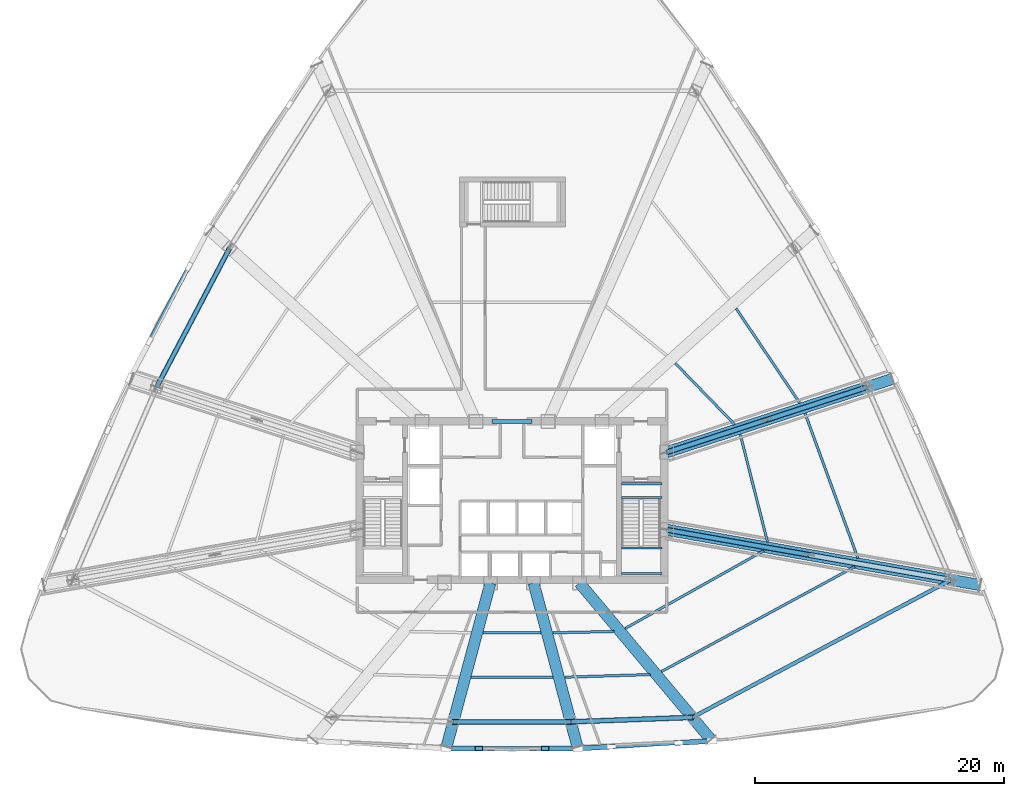
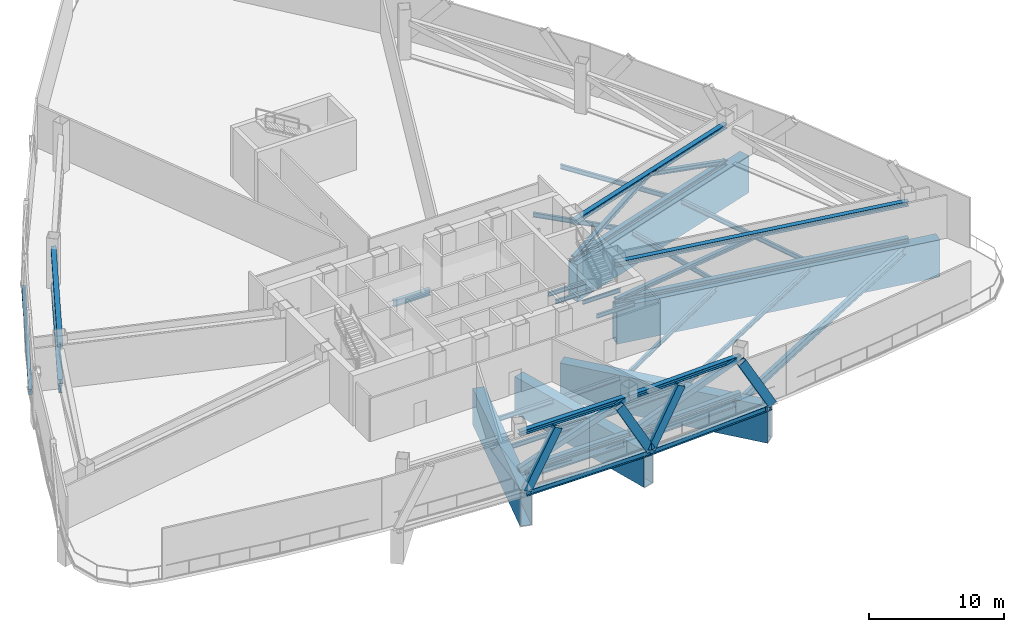
# One storey, part 2 of 17: 27 beams, 19 members.
"""IFC4 building model written with IfcOpenShell, lengths in metres."""

from ifc_helpers import new_model, si_unit, direction, frame, origin, origin_2d, place, context, subcontext, project, spatial, hollow_rectangle, i_section, extrude, source, transform, mapped, material, material_profile, profile_set, type_object, element, save


model = new_model("IFC4")

# Units and contexts
model_context = context("Model", 3, precision=1e-05, world=origin(), true_north=direction((0.0, 1.0)))
body_context = subcontext(model_context, "Body", "Model", "MODEL_VIEW")
ifc_project = project(units=[si_unit("LENGTHUNIT", "METRE"), si_unit("AREAUNIT", "SQUARE_METRE"), si_unit("VOLUMEUNIT", "CUBIC_METRE"), si_unit("PLANEANGLEUNIT", "RADIAN"), si_unit("MASSUNIT", "GRAM", prefix="KILO"), si_unit("THERMODYNAMICTEMPERATUREUNIT", "KELVIN"), si_unit("POWERUNIT", "WATT")], contexts=[model_context])

# Site, building, storey
site_placement = place(None, origin())
site = spatial("IfcSite", under=ifc_project, at=site_placement, CompositionType="ELEMENT")
building_placement = place(site_placement, origin())
building = spatial("IfcBuilding", under=site, at=building_placement, Name="Yunzhuo Pagoda Commons", CompositionType="ELEMENT")
storey_placement = place(building_placement, frame((0.0, 0.0, 176.159912109375)))
storey = spatial("IfcBuildingStorey", under=building, at=storey_placement, Name="L44", CompositionType="ELEMENT", Elevation=176.159912109375)

# Beams
ifc_material_1 = material(Name="Structural steel Q355B", Category="steel")
ifc_material_profile_1 = material_profile(ifc_material_1, i_section(OverallWidth=0.175048828125, OverallDepth=0.35009765625, WebThickness=0.007080078125, FlangeThickness=0.010986328125, at=origin_2d()), Name="Structural steel Q355B")
ifc_profile_set_1 = profile_set([ifc_material_profile_1], Name="Structural steel Q355B")
beam_type_1 = type_object("IfcBeamType", Name="B-JS2 Joist HN 350x175x7x11", PredefinedType="JOIST", material=ifc_profile_set_1)
shared_shape_1 = source(origin(), body_context, "Body", "SweptSolid", [
    extrude(i_section(OverallWidth=0.175048828125, OverallDepth=0.35009765625, WebThickness=0.007080078125, FlangeThickness=0.010986328125, at=origin_2d()), origin(), (0.0, 0.0, 1.0), 3.25),
])
for number, where, z_axis, x_axis, name in (
    (1, (56.800048828125, 28.0, 2.025146484375), (1.0, 0.0, 0.0), (0.0, 1.0, 0.0), "L44 ST2 landing support beam 50A"),
    (2, (56.800048828125, 30.06005859375, 2.025146484375), (1.0, 0.0, 0.0), (0.0, 1.0, 0.0), "L44 ST2 landing support beam 50B"),
    (3, (56.800048828125, 34.10009765625, -0.375), (1.0, 0.0, 0.0), (0.0, 1.0, 0.0), "L44 ST2 landing support beam 148A"),
    (4, (56.800048828125, 35.199951171875, -0.375), (1.0, 0.0, 0.0), (0.0, 1.0, 0.0), "L44 ST2 landing support beam 148B"),
):
    element("IfcBeam", number, at=place(storey_placement, frame(where, z_axis=z_axis, x_axis=x_axis)), inside=storey, type_object=beam_type_1, Name=name, PredefinedType="JOIST", context=body_context, shape_type="MappedRepresentation", body=[
        mapped(shared_shape_1, transform((0.0, 0.0, 0.0), scale=1.0)),
    ])
ifc_material_2 = material(Name="Structural steel Q420B", Category="steel")
ifc_material_profile_2 = material_profile(ifc_material_2, i_section(OverallWidth=0.300048828125, OverallDepth=0.587890625, WebThickness=0.011962890625, FlangeThickness=0.02001953125, at=origin_2d()), Name="Structural steel Q420B")
ifc_profile_set_2 = profile_set([ifc_material_profile_2], Name="Structural steel Q420B")
beam_type_2 = type_object("IfcBeamType", Name="B-CPL Beam HM 588x300x12x20", PredefinedType="BEAM", material=ifc_profile_set_2)
shared_shape_2 = source(origin(), body_context, "Body", "SweptSolid", [
    extrude(i_section(OverallWidth=0.300048828125, OverallDepth=0.587890625, WebThickness=0.011962890625, FlangeThickness=0.02001953125, at=origin_2d()), origin(), (0.0, 0.0, 1.0), 3.2001953125),
])
beam_1_placement = place(storey_placement, frame((46.39990234375, 40.199951171875, -0.57373046875), z_axis=(1.0, 0.0, 0.0), x_axis=(0.0, 1.0, 0.0)))
element("IfcBeam", 5, at=beam_1_placement, inside=storey, type_object=beam_type_2, Name="L44 core coupling girder", PredefinedType="BEAM", context=body_context, shape_type="MappedRepresentation", body=[
    mapped(shared_shape_2, transform((0.0, 0.0, 0.0), scale=1.0)),
])
ifc_material_profile_3 = material_profile(ifc_material_2, hollow_rectangle(XDim=0.89990234375, YDim=3.35009765625, WallThickness=0.048095703125, at=origin_2d()), Name="Structural steel Q420B")
ifc_profile_set_3 = profile_set([ifc_material_profile_3], Name="Structural steel Q420B")
beam_type_3 = type_object("IfcBeamType", Name="BTR-2 Beam BOX 3350x900x48", PredefinedType="BEAM", material=ifc_profile_set_3)
shared_shape_3 = source(origin(), body_context, "Body", "SweptSolid", [
    extrude(hollow_rectangle(XDim=0.89990234375, YDim=3.35009765625, WallThickness=0.048095703125, at=origin_2d()), origin(), (0.0, 0.0, 1.0), 16.390625),
])
beam_2_placement = place(storey_placement, frame((63.94775390625, 14.694091796875, -1.954833984375), z_axis=(-0.642787129535, 0.766044846014, 0.0), x_axis=(-0.766044846014, -0.642787129535, 0.0)))
element("IfcBeam", 6, at=beam_2_placement, inside=storey, type_object=beam_type_3, Name="BTR-2 L44 collinear transfer girder F1C4", PredefinedType="BEAM", context=body_context, shape_type="MappedRepresentation", body=[
    mapped(shared_shape_3, transform((0.0, 0.0, 0.0), scale=1.0)),
])
shared_shape_4 = source(origin(), body_context, "Body", "SweptSolid", [
    extrude(hollow_rectangle(XDim=0.89990234375, YDim=3.35009765625, WallThickness=0.048095703125, at=origin_2d()), origin(), (0.0, 0.0, 1.0), 13.593017578125),
])
for number, where, z_axis, x_axis, name in (
    (7, (42.753662109375, 14.1201171875, -1.954833984375), (0.258830648495, 0.965922717095, 0.0), (-0.965922717095, 0.258830648495, 0.0), "BTR-2 L44 collinear transfer girder F1C2"),
    (8, (53.246337890625, 14.1201171875, -1.954833984375), (-0.25879713325, 0.965931697286, 0.0), (-0.965931697286, -0.25879713325, 0.0), "BTR-2 L44 collinear transfer girder F1C3"),
):
    element("IfcBeam", number, at=place(storey_placement, frame(where, z_axis=z_axis, x_axis=x_axis)), inside=storey, type_object=beam_type_3, Name=name, PredefinedType="BEAM", context=body_context, shape_type="MappedRepresentation", body=[
        mapped(shared_shape_4, transform((0.0, 0.0, 0.0), scale=1.0)),
    ])
shared_shape_5 = source(origin(), body_context, "Body", "SweptSolid", [
    extrude(hollow_rectangle(XDim=0.89990234375, YDim=3.35009765625, WallThickness=0.048095703125, at=origin_2d()), origin(), (0.0, 0.0, 1.0), 25.52734375),
])
beam_3_placement = place(storey_placement, frame((85.53955078125, 27.0810546875, -1.954833984375), z_axis=(-0.984810601719, 0.173632021076, 0.0), x_axis=(-0.173632021076, -0.984810601719, 0.0)))
element("IfcBeam", 9, at=beam_3_placement, inside=storey, type_object=beam_type_3, Name="BTR-2 L44 collinear transfer girder F2C1", PredefinedType="BEAM", context=body_context, shape_type="MappedRepresentation", body=[
    mapped(shared_shape_5, transform((0.0, 0.0, 0.0), scale=1.0)),
])
shared_shape_6 = source(origin(), body_context, "Body", "SweptSolid", [
    extrude(hollow_rectangle(XDim=0.89990234375, YDim=3.35009765625, WallThickness=0.048095703125, at=origin_2d()), origin(), (0.0, 0.0, 1.0), 19.029296875),
])
beam_4_placement = place(storey_placement, frame((78.497802734375, 43.609375, -1.954833984375), z_axis=(-0.95105641133, -0.309017317424, 0.0), x_axis=(0.309017317424, -0.95105641133, 0.0)))
element("IfcBeam", 10, at=beam_4_placement, inside=storey, type_object=beam_type_3, Name="BTR-2 L44 collinear transfer girder F2C2", PredefinedType="BEAM", context=body_context, shape_type="MappedRepresentation", body=[
    mapped(shared_shape_6, transform((0.0, 0.0, 0.0), scale=1.0)),
])
ifc_material_profile_4 = material_profile(ifc_material_1, i_section(OverallWidth=0.300048828125, OverallDepth=0.488037109375, WebThickness=0.010986328125, FlangeThickness=0.01806640625, at=origin_2d()), Name="Structural steel Q355B")
ifc_profile_set_4 = profile_set([ifc_material_profile_4], Name="Structural steel Q355B")
beam_type_4 = type_object("IfcBeamType", Name="B-SP1 Beam HM 488x300x11x18", PredefinedType="BEAM", material=ifc_profile_set_4)
shared_shape_7 = source(origin(), body_context, "Body", "SweptSolid", [
    extrude(i_section(OverallWidth=0.300048828125, OverallDepth=0.488037109375, WebThickness=0.010986328125, FlangeThickness=0.01806640625, at=origin_2d()), origin(), (0.0, 0.0, 1.0), 10.77783203125),
])
beam_5_placement = place(storey_placement, frame((53.28662109375, 13.970458984375, -0.52392578125), z_axis=(0.998422062391, 0.056155011631, 0.0), x_axis=(-0.056155011631, 0.998422062391, 0.0)))
element("IfcBeam", 11, at=beam_5_placement, inside=storey, type_object=beam_type_4, Name="L44 facade edge spandrel beam F1.3", PredefinedType="BEAM", context=body_context, shape_type="MappedRepresentation", body=[
    mapped(shared_shape_7, transform((0.0, 0.0, 0.0), scale=1.0)),
])
shared_shape_8 = source(origin(), body_context, "Body", "SweptSolid", [
    extrude(i_section(OverallWidth=0.300048828125, OverallDepth=0.488037109375, WebThickness=0.010986328125, FlangeThickness=0.01806640625, at=origin_2d()), origin(), (0.0, 0.0, 1.0), 10.5732421875),
])
beam_6_placement = place(storey_placement, frame((42.71337890625, 13.970458984375, -0.52392578125), z_axis=(1.0, 0.0, 0.0), x_axis=(0.0, 1.0, 0.0)))
element("IfcBeam", 12, at=beam_6_placement, inside=storey, type_object=beam_type_4, Name="L44 facade edge spandrel beam F1.2", PredefinedType="BEAM", context=body_context, shape_type="MappedRepresentation", body=[
    mapped(shared_shape_8, transform((0.0, 0.0, 0.0), scale=1.0)),
])
shared_shape_9 = source(origin(), body_context, "Body", "SweptSolid", [
    extrude(i_section(OverallWidth=0.300048828125, OverallDepth=0.488037109375, WebThickness=0.010986328125, FlangeThickness=0.01806640625, at=origin_2d()), origin(), (0.0, 0.0, 1.0), 13.517333984375),
])
beam_7_placement = place(storey_placement, frame((23.66455078125, 55.61181640625, -0.52392578125), z_axis=(-0.466756265166, -0.884385995439, 0.0), x_axis=(0.884385995439, -0.466756265166, 0.0)))
element("IfcBeam", 13, at=beam_7_placement, inside=storey, type_object=beam_type_4, Name="L44 facade edge spandrel beam F3.2", PredefinedType="BEAM", context=body_context, shape_type="MappedRepresentation", body=[
    mapped(shared_shape_9, transform((0.0, 0.0, 0.0), scale=1.0)),
])
ifc_material_profile_5 = material_profile(ifc_material_1, i_section(OverallWidth=0.199951171875, OverallDepth=0.39990234375, WebThickness=0.008056640625, FlangeThickness=0.012939453125, at=origin_2d()), Name="Structural steel Q355B")
ifc_profile_set_5 = profile_set([ifc_material_profile_5], Name="Structural steel Q355B")
beam_type_5 = type_object("IfcBeamType", Name="B-JS1 Joist HN 400x200x8x13", PredefinedType="JOIST", material=ifc_profile_set_5)
shared_shape_10 = source(origin(), body_context, "Body", "SweptSolid", [
    extrude(i_section(OverallWidth=0.199951171875, OverallDepth=0.39990234375, WebThickness=0.008056640625, FlangeThickness=0.012939453125, at=origin_2d()), origin(), (0.0, 0.0, 1.0), 4.914794921875),
])
beam_8_placement = place(storey_placement, frame((51.279541015625, 23.250732421875, -0.47998046875), z_axis=(0.999764351647, 0.021708090116, 0.0), x_axis=(-0.021708090116, 0.999764351647, 0.0)))
element("IfcBeam", 14, at=beam_8_placement, inside=storey, type_object=beam_type_5, Name="L44 composite ring joist 1.3", PredefinedType="JOIST", context=body_context, shape_type="MappedRepresentation", body=[
    mapped(shared_shape_10, transform((0.0, 0.0, 0.0), scale=1.0)),
])
shared_shape_11 = source(origin(), body_context, "Body", "SweptSolid", [
    extrude(i_section(OverallWidth=0.199951171875, OverallDepth=0.39990234375, WebThickness=0.008056640625, FlangeThickness=0.012939453125, at=origin_2d()), origin(), (0.0, 0.0, 1.0), 6.857421875),
])
beam_9_placement = place(storey_placement, frame((52.234375, 19.69091796875, -0.47998046875), z_axis=(0.999525699454, 0.030795716119, 0.0), x_axis=(-0.030795716119, 0.999525699454, 0.0)))
element("IfcBeam", 15, at=beam_9_placement, inside=storey, type_object=beam_type_5, Name="L44 composite ring joist 2.3", PredefinedType="JOIST", context=body_context, shape_type="MappedRepresentation", body=[
    mapped(shared_shape_11, transform((0.0, 0.0, 0.0), scale=1.0)),
])
ifc_material_profile_6 = material_profile(ifc_material_1, i_section(OverallWidth=0.300048828125, OverallDepth=0.64990234375, WebThickness=0.012939453125, FlangeThickness=0.02197265625, at=origin_2d()), Name="Structural steel Q355B")
ifc_profile_set_6 = profile_set([ifc_material_profile_6], Name="Structural steel Q355B")
beam_type_6 = type_object("IfcBeamType", Name="B-RG2 Beam HN 650x300x13x22", PredefinedType="BEAM", material=ifc_profile_set_6)
shared_shape_12 = source(origin(), body_context, "Body", "SweptSolid", [
    extrude(i_section(OverallWidth=0.300048828125, OverallDepth=0.64990234375, WebThickness=0.012939453125, FlangeThickness=0.02197265625, at=origin_2d()), origin(), (0.0, 0.0, 1.0), 9.42529296875),
])
beam_10_placement = place(storey_placement, frame((43.28759765625, 16.1123046875, -0.60498046875), z_axis=(1.0, 0.0, 0.0), x_axis=(0.0, 1.0, 0.0)))
element("IfcBeam", 16, at=beam_10_placement, inside=storey, type_object=beam_type_6, Name="L44 column-ring beam 2", PredefinedType="BEAM", context=body_context, shape_type="MappedRepresentation", body=[
    mapped(shared_shape_12, transform((0.0, 0.0, 0.0), scale=1.0)),
])
shared_shape_13 = source(origin(), body_context, "Body", "SweptSolid", [
    extrude(i_section(OverallWidth=0.199951171875, OverallDepth=0.39990234375, WebThickness=0.008056640625, FlangeThickness=0.012939453125, at=origin_2d()), origin(), (0.0, 0.0, 1.0), 4.6513671875),
])
beam_11_placement = place(storey_placement, frame((45.67431640625, 23.24072265625, -0.47998046875), z_axis=(1.0, 0.0, 0.0), x_axis=(0.0, 1.0, 0.0)))
element("IfcBeam", 17, at=beam_11_placement, inside=storey, type_object=beam_type_5, Name="L44 composite ring joist 1.2", PredefinedType="JOIST", context=body_context, shape_type="MappedRepresentation", body=[
    mapped(shared_shape_13, transform((0.0, 0.0, 0.0), scale=1.0)),
])
shared_shape_14 = source(origin(), body_context, "Body", "SweptSolid", [
    extrude(i_section(OverallWidth=0.199951171875, OverallDepth=0.39990234375, WebThickness=0.008056640625, FlangeThickness=0.012939453125, at=origin_2d()), origin(), (0.0, 0.0, 1.0), 6.56103515625),
])
beam_12_placement = place(storey_placement, frame((44.719482421875, 19.676513671875, -0.47998046875), z_axis=(1.0, 0.0, 0.0), x_axis=(0.0, 1.0, 0.0)))
element("IfcBeam", 18, at=beam_12_placement, inside=storey, type_object=beam_type_5, Name="L44 composite ring joist 2.2", PredefinedType="JOIST", context=body_context, shape_type="MappedRepresentation", body=[
    mapped(shared_shape_14, transform((0.0, 0.0, 0.0), scale=1.0)),
])
shared_shape_15 = source(origin(), body_context, "Body", "SweptSolid", [
    extrude(i_section(OverallWidth=0.300048828125, OverallDepth=0.64990234375, WebThickness=0.012939453125, FlangeThickness=0.02197265625, at=origin_2d()), origin(), (0.0, 0.0, 1.0), 9.754638671875),
])
beam_13_placement = place(storey_placement, frame((52.712890625, 16.1123046875, -0.60498046875), z_axis=(0.999343095614, 0.036240547032, 0.0), x_axis=(-0.036240547032, 0.999343095614, 0.0)))
element("IfcBeam", 19, at=beam_13_placement, inside=storey, type_object=beam_type_6, Name="L44 column-ring beam 3", PredefinedType="BEAM", context=body_context, shape_type="MappedRepresentation", body=[
    mapped(shared_shape_15, transform((0.0, 0.0, 0.0), scale=1.0)),
])
shared_shape_16 = source(origin(), body_context, "Body", "SweptSolid", [
    extrude(i_section(OverallWidth=0.300048828125, OverallDepth=0.64990234375, WebThickness=0.012939453125, FlangeThickness=0.02197265625, at=origin_2d()), origin(), (0.0, 0.0, 1.0), 23.49365234375),
])
beam_14_placement = place(storey_placement, frame((62.461181640625, 16.4658203125, -0.60498046875), z_axis=(0.883016269865, 0.469342377325, 0.0), x_axis=(-0.469342377325, 0.883016269865, 0.0)))
element("IfcBeam", 20, at=beam_14_placement, inside=storey, type_object=beam_type_6, Name="L44 column-ring beam 4", PredefinedType="BEAM", context=body_context, shape_type="MappedRepresentation", body=[
    mapped(shared_shape_16, transform((0.0, 0.0, 0.0), scale=1.0)),
])
shared_shape_17 = source(origin(), body_context, "Body", "SweptSolid", [
    extrude(i_section(OverallWidth=0.199951171875, OverallDepth=0.39990234375, WebThickness=0.008056640625, FlangeThickness=0.012939453125, at=origin_2d()), origin(), (0.0, 0.0, 1.0), 12.73681640625),
])
beam_15_placement = place(storey_placement, frame((57.086181640625, 23.60107421875, -0.47998046875), z_axis=(0.872133465525, 0.489268043419, 0.0), x_axis=(-0.489268043419, 0.872133465525, 0.0)))
element("IfcBeam", 21, at=beam_15_placement, inside=storey, type_object=beam_type_5, Name="L44 composite ring joist 1.4", PredefinedType="JOIST", context=body_context, shape_type="MappedRepresentation", body=[
    mapped(shared_shape_17, transform((0.0, 0.0, 0.0), scale=1.0)),
])
shared_shape_18 = source(origin(), body_context, "Body", "SweptSolid", [
    extrude(i_section(OverallWidth=0.199951171875, OverallDepth=0.39990234375, WebThickness=0.008056640625, FlangeThickness=0.012939453125, at=origin_2d()), origin(), (0.0, 0.0, 1.0), 17.636962890625),
])
beam_16_placement = place(storey_placement, frame((59.98486328125, 20.14404296875, -0.47998046875), z_axis=(0.879068922097, 0.476694692863, 0.0), x_axis=(-0.476694692863, 0.879068922097, 0.0)))
element("IfcBeam", 22, at=beam_16_placement, inside=storey, type_object=beam_type_5, Name="L44 composite ring joist 2.4", PredefinedType="JOIST", context=body_context, shape_type="MappedRepresentation", body=[
    mapped(shared_shape_18, transform((0.0, 0.0, 0.0), scale=1.0)),
])
shared_shape_19 = source(origin(), body_context, "Body", "SweptSolid", [
    extrude(i_section(OverallWidth=0.199951171875, OverallDepth=0.39990234375, WebThickness=0.008056640625, FlangeThickness=0.012939453125, at=origin_2d()), origin(), (0.0, 0.0, 1.0), 8.892822265625),
])
beam_17_placement = place(storey_placement, frame((68.493408203125, 30.5283203125, -0.47998046875), z_axis=(-0.245409130159, 0.969419598953, 0.0), x_axis=(-0.969419598953, -0.245409130159, 0.0)))
element("IfcBeam", 23, at=beam_17_placement, inside=storey, type_object=beam_type_5, Name="L44 composite ring joist 1.5", PredefinedType="JOIST", context=body_context, shape_type="MappedRepresentation", body=[
    mapped(shared_shape_19, transform((0.0, 0.0, 0.0), scale=1.0)),
])
shared_shape_20 = source(origin(), body_context, "Body", "SweptSolid", [
    extrude(i_section(OverallWidth=0.199951171875, OverallDepth=0.39990234375, WebThickness=0.008056640625, FlangeThickness=0.012939453125, at=origin_2d()), origin(), (0.0, 0.0, 1.0), 12.35888671875),
])
beam_18_placement = place(storey_placement, frame((75.744873046875, 29.22705078125, -0.47998046875), z_axis=(-0.342818229679, 0.939401757184, 0.0), x_axis=(-0.939401757184, -0.342818229679, 0.0)))
element("IfcBeam", 24, at=beam_18_placement, inside=storey, type_object=beam_type_5, Name="L44 composite ring joist 2.5", PredefinedType="JOIST", context=body_context, shape_type="MappedRepresentation", body=[
    mapped(shared_shape_20, transform((0.0, 0.0, 0.0), scale=1.0)),
])
shared_shape_21 = source(origin(), body_context, "Body", "SweptSolid", [
    extrude(i_section(OverallWidth=0.300048828125, OverallDepth=0.64990234375, WebThickness=0.012939453125, FlangeThickness=0.02197265625, at=origin_2d()), origin(), (0.0, 0.0, 1.0), 12.576416015625),
])
beam_19_placement = place(storey_placement, frame((25.349365234375, 54.0947265625, -0.60498046875), z_axis=(-0.464676385233, -0.885480579689, 0.0), x_axis=(0.885480579689, -0.464676385233, 0.0)))
element("IfcBeam", 25, at=beam_19_placement, inside=storey, type_object=beam_type_6, Name="L44 column-ring beam 10", PredefinedType="BEAM", context=body_context, shape_type="MappedRepresentation", body=[
    mapped(shared_shape_21, transform((0.0, 0.0, 0.0), scale=1.0)),
])
shared_shape_22 = source(origin(), body_context, "Body", "SweptSolid", [
    extrude(i_section(OverallWidth=0.199951171875, OverallDepth=0.39990234375, WebThickness=0.008056640625, FlangeThickness=0.012939453125, at=origin_2d()), origin(), (0.0, 0.0, 1.0), 6.83251953125),
])
beam_20_placement = place(storey_placement, frame((65.8623046875, 39.9541015625, -0.47998046875), z_axis=(-0.696069936465, 0.717973985287, 0.0), x_axis=(-0.717973985287, -0.696069936465, 0.0)))
element("IfcBeam", 26, at=beam_20_placement, inside=storey, type_object=beam_type_5, Name="L44 composite ring joist 1.6", PredefinedType="JOIST", context=body_context, shape_type="MappedRepresentation", body=[
    mapped(shared_shape_22, transform((0.0, 0.0, 0.0), scale=1.0)),
])
shared_shape_23 = source(origin(), body_context, "Body", "SweptSolid", [
    extrude(i_section(OverallWidth=0.199951171875, OverallDepth=0.39990234375, WebThickness=0.008056640625, FlangeThickness=0.012939453125, at=origin_2d()), origin(), (0.0, 0.0, 1.0), 9.12890625),
])
beam_21_placement = place(storey_placement, frame((71.077880859375, 41.6806640625, -0.47998046875), z_axis=(-0.558539174295, 0.829478143641, 0.0), x_axis=(-0.829478143641, -0.558539174295, 0.0)))
element("IfcBeam", 27, at=beam_21_placement, inside=storey, type_object=beam_type_5, Name="L44 composite ring joist 2.6", PredefinedType="JOIST", context=body_context, shape_type="MappedRepresentation", body=[
    mapped(shared_shape_23, transform((0.0, 0.0, 0.0), scale=1.0)),
])

# Members
ifc_material_profile_7 = material_profile(ifc_material_2, i_section(OverallWidth=0.406982421875, OverallDepth=0.427978515625, WebThickness=0.02001953125, FlangeThickness=0.034912109375, at=origin_2d()), Name="Structural steel Q420B")
ifc_profile_set_7 = profile_set([ifc_material_profile_7], Name="Structural steel Q420B")
member_type_1 = type_object("IfcMemberType", Name="M-OTC Chord HW 428x407x20x35", PredefinedType="CHORD", material=ifc_profile_set_7)
shared_shape_24 = source(origin(), body_context, "Body", "SweptSolid", [
    extrude(i_section(OverallWidth=0.406982421875, OverallDepth=0.427978515625, WebThickness=0.02001953125, FlangeThickness=0.034912109375, at=origin_2d()), origin(), (0.0, 0.0, 1.0), 23.158447265625),
])
for number, where, z_axis, x_axis, name in (
    (28, (60.39990234375, 31.513427734375, 0.0703125), (0.984810928035, -0.173630170257, 0.0), (0.173630170257, 0.984810928035, 0.0), "L44 outrigger bottom chord F2C1"),
    (29, (60.39990234375, 31.513427734375, 3.39013671875), (0.984810928035, -0.173630170257, 0.0), (0.173630170257, 0.984810928035, 0.0), "L44 outrigger top chord F2C1"),
):
    element("IfcMember", number, at=place(storey_placement, frame(where, z_axis=z_axis, x_axis=x_axis)), inside=storey, type_object=member_type_1, Name=name, PredefinedType="CHORD", context=body_context, shape_type="MappedRepresentation", body=[
        mapped(shared_shape_24, transform((0.0, 0.0, 0.0), scale=1.0)),
    ])
ifc_material_profile_8 = material_profile(ifc_material_2, i_section(OverallWidth=0.35009765625, OverallDepth=0.35009765625, WebThickness=0.011962890625, FlangeThickness=0.01904296875, at=origin_2d()), Name="Structural steel Q420B")
ifc_profile_set_8 = profile_set([ifc_material_profile_8], Name="Structural steel Q420B")
member_type_2 = type_object("IfcMemberType", Name="M-OTB Brace HW 350x350x12x19", PredefinedType="BRACE", material=ifc_profile_set_8)
shared_shape_25 = source(origin(), body_context, "Body", "SweptSolid", [
    extrude(i_section(OverallWidth=0.35009765625, OverallDepth=0.35009765625, WebThickness=0.011962890625, FlangeThickness=0.01904296875, at=origin_2d()), origin(), (0.0, 0.0, 1.0), 12.045654296875),
])
member_1_placement = place(storey_placement, frame((60.39990234375, 31.513427734375, 0.0703125), z_axis=(0.946670927382, -0.166905778175, 0.275602279493), x_axis=(0.173630170257, 0.984810928035, 0.0)))
element("IfcMember", 30, at=member_1_placement, inside=storey, type_object=member_type_2, Name="L44 outrigger diagonal brace F2C1A", PredefinedType="BRACE", context=body_context, shape_type="MappedRepresentation", body=[
    mapped(shared_shape_25, transform((0.0, 0.0, 0.0), scale=1.0)),
])
shared_shape_26 = source(origin(), body_context, "Body", "SweptSolid", [
    extrude(i_section(OverallWidth=0.406982421875, OverallDepth=0.427978515625, WebThickness=0.02001953125, FlangeThickness=0.034912109375, at=origin_2d()), origin(), (0.0, 0.0, 1.0), 16.923095703125),
])
for number, where, z_axis, x_axis, name in (
    (31, (60.39990234375, 37.72900390625, 0.0703125), (0.951056541965, 0.309016915371, 0.0), (-0.309016915371, 0.951056541965, 0.0), "L44 outrigger bottom chord F2C2"),
    (32, (60.39990234375, 37.72900390625, 3.39013671875), (0.951056541965, 0.309016915371, 0.0), (-0.309016915371, 0.951056541965, 0.0), "L44 outrigger top chord F2C2"),
):
    element("IfcMember", number, at=place(storey_placement, frame(where, z_axis=z_axis, x_axis=x_axis)), inside=storey, type_object=member_type_1, Name=name, PredefinedType="CHORD", context=body_context, shape_type="MappedRepresentation", body=[
        mapped(shared_shape_26, transform((0.0, 0.0, 0.0), scale=1.0)),
    ])
shared_shape_27 = source(origin(), body_context, "Body", "SweptSolid", [
    extrude(i_section(OverallWidth=0.35009765625, OverallDepth=0.35009765625, WebThickness=0.011962890625, FlangeThickness=0.01904296875, at=origin_2d()), origin(), (0.0, 0.0, 1.0), 9.089599609375),
])
member_2_placement = place(storey_placement, frame((60.39990234375, 37.72900390625, 0.0703125), z_axis=(0.885357413019, 0.287661253327, 0.365230412955), x_axis=(-0.309008435874, 0.951059297078, 0.0)))
element("IfcMember", 33, at=member_2_placement, inside=storey, type_object=member_type_2, Name="L44 outrigger diagonal brace F2C2A", PredefinedType="BRACE", context=body_context, shape_type="MappedRepresentation", body=[
    mapped(shared_shape_27, transform((0.0, 0.0, 0.0), scale=1.0)),
])
shared_shape_28 = source(origin(), body_context, "Body", "SweptSolid", [
    extrude(i_section(OverallWidth=0.35009765625, OverallDepth=0.35009765625, WebThickness=0.011962890625, FlangeThickness=0.01904296875, at=origin_2d()), origin(), (0.0, 0.0, 1.0), 9.08935546875),
])
member_3_placement = place(storey_placement, frame((68.447509765625, 40.34375, 3.39013671875), z_axis=(0.885345801406, 0.287674935016, -0.365247783972), x_axis=(-0.309025395308, 0.951053786625, 0.0)))
element("IfcMember", 34, at=member_3_placement, inside=storey, type_object=member_type_2, Name="L44 outrigger diagonal brace F2C2B", PredefinedType="BRACE", context=body_context, shape_type="MappedRepresentation", body=[
    mapped(shared_shape_28, transform((0.0, 0.0, 0.0), scale=1.0)),
])
ifc_material_profile_9 = material_profile(ifc_material_2, i_section(OverallWidth=0.39990234375, OverallDepth=0.39990234375, WebThickness=0.012939453125, FlangeThickness=0.02099609375, at=origin_2d()), Name="Structural steel Q420B")
ifc_profile_set_9 = profile_set([ifc_material_profile_9], Name="Structural steel Q420B")
member_type_3 = type_object("IfcMemberType", Name="M-BTC Chord HW 400x400x13x21", PredefinedType="CHORD", material=ifc_profile_set_9)
shared_shape_29 = source(origin(), body_context, "Body", "SweptSolid", [
    extrude(i_section(OverallWidth=0.39990234375, OverallDepth=0.39990234375, WebThickness=0.012939453125, FlangeThickness=0.02099609375, at=origin_2d()), origin(), (0.0, 0.0, 1.0), 9.42529296875),
])
for number, where, z_axis, x_axis, name in (
    (35, (43.28759765625, 16.1123046875, 0.0703125), (1.0, 0.0, 0.0), (0.0, 1.0, 0.0), "L44 belt truss bottom chord 2"),
    (36, (43.28759765625, 16.1123046875, 3.39013671875), (1.0, 0.0, 0.0), (0.0, 1.0, 0.0), "L44 belt truss top chord 2"),
):
    element("IfcMember", number, at=place(storey_placement, frame(where, z_axis=z_axis, x_axis=x_axis)), inside=storey, type_object=member_type_3, Name=name, PredefinedType="CHORD", context=body_context, shape_type="MappedRepresentation", body=[
        mapped(shared_shape_29, transform((0.0, 0.0, 0.0), scale=1.0)),
    ])
ifc_material_profile_10 = material_profile(ifc_material_2, hollow_rectangle(XDim=0.39990234375, YDim=0.5, WallThickness=0.02392578125, at=origin_2d()), Name="Structural steel Q420B")
ifc_profile_set_10 = profile_set([ifc_material_profile_10], Name="Structural steel Q420B")
member_type_4 = type_object("IfcMemberType", Name="M-BTB Brace RHS 500x400x24", PredefinedType="BRACE", material=ifc_profile_set_10)
shared_shape_30 = source(origin(), body_context, "Body", "SweptSolid", [
    extrude(hollow_rectangle(XDim=0.39990234375, YDim=0.5, WallThickness=0.02392578125, at=origin_2d()), origin(), (0.0, 0.0, 1.0), 9.992919921875),
])
member_4_placement = place(storey_placement, frame((43.28759765625, 16.1123046875, 0.0703125), z_axis=(0.94320213246, 0.0, 0.332219411418), x_axis=(0.0, 1.0, 0.0)))
element("IfcMember", 37, at=member_4_placement, inside=storey, type_object=member_type_4, Name="L44 belt truss diagonal brace 2A", PredefinedType="BRACE", context=body_context, shape_type="MappedRepresentation", body=[
    mapped(shared_shape_30, transform((0.0, 0.0, 0.0), scale=1.0)),
])
shared_shape_31 = source(origin(), body_context, "Body", "SweptSolid", [
    extrude(i_section(OverallWidth=0.39990234375, OverallDepth=0.39990234375, WebThickness=0.012939453125, FlangeThickness=0.02099609375, at=origin_2d()), origin(), (0.0, 0.0, 1.0), 9.754638671875),
])
for number, where, z_axis, x_axis, name in (
    (38, (52.712890625, 16.1123046875, 0.0703125), (0.999343095614, 0.036240547032, 0.0), (-0.036240547032, 0.999343095614, 0.0), "L44 belt truss bottom chord 3"),
    (39, (52.712890625, 16.1123046875, 3.39013671875), (0.999343095614, 0.036240547032, 0.0), (-0.036240547032, 0.999343095614, 0.0), "L44 belt truss top chord 3"),
):
    element("IfcMember", number, at=place(storey_placement, frame(where, z_axis=z_axis, x_axis=x_axis)), inside=storey, type_object=member_type_3, Name=name, PredefinedType="CHORD", context=body_context, shape_type="MappedRepresentation", body=[
        mapped(shared_shape_31, transform((0.0, 0.0, 0.0), scale=1.0)),
    ])
shared_shape_32 = source(origin(), body_context, "Body", "SweptSolid", [
    extrude(hollow_rectangle(XDim=0.39990234375, YDim=0.5, WallThickness=0.02392578125, at=origin_2d()), origin(), (0.0, 0.0, 1.0), 10.30419921875),
])
member_5_placement = place(storey_placement, frame((52.712890625, 16.1123046875, 0.0703125), z_axis=(0.94605539307, 0.03430810211, 0.322183406421), x_axis=(-0.036240547032, 0.999343095614, 0.0)))
element("IfcMember", 40, at=member_5_placement, inside=storey, type_object=member_type_4, Name="L44 belt truss diagonal brace 3A", PredefinedType="BRACE", context=body_context, shape_type="MappedRepresentation", body=[
    mapped(shared_shape_32, transform((0.0, 0.0, 0.0), scale=1.0)),
])
shared_shape_33 = source(origin(), body_context, "Body", "SweptSolid", [
    extrude(i_section(OverallWidth=0.39990234375, OverallDepth=0.39990234375, WebThickness=0.012939453125, FlangeThickness=0.02099609375, at=origin_2d()), origin(), (0.0, 0.0, 1.0), 12.576416015625),
])
for number, where, z_axis, x_axis, name in (
    (41, (25.349365234375, 54.0947265625, 0.0703125), (-0.464676385233, -0.885480579689, 0.0), (0.885480579689, -0.464676385233, 0.0), "L44 belt truss bottom chord 10"),
    (42, (25.349365234375, 54.0947265625, 3.39013671875), (-0.464676385233, -0.885480579689, 0.0), (0.885480579689, -0.464676385233, 0.0), "L44 belt truss top chord 10"),
):
    element("IfcMember", number, at=place(storey_placement, frame(where, z_axis=z_axis, x_axis=x_axis)), inside=storey, type_object=member_type_3, Name=name, PredefinedType="CHORD", context=body_context, shape_type="MappedRepresentation", body=[
        mapped(shared_shape_33, transform((0.0, 0.0, 0.0), scale=1.0)),
    ])
ifc_material_profile_11 = material_profile(ifc_material_1, hollow_rectangle(XDim=0.39990234375, YDim=0.719970703125, WallThickness=0.02392578125, at=origin_2d()), Name="Structural steel Q355B")
ifc_profile_set_11 = profile_set([ifc_material_profile_11], Name="Structural steel Q355B")
member_type_5 = type_object("IfcMemberType", Name="M-DL2 Brace BOX 720x400x24", PredefinedType="BRACE", material=ifc_profile_set_11)
shared_shape_34 = source(origin(), body_context, "Body", "SweptSolid", [
    extrude(hollow_rectangle(XDim=0.39990234375, YDim=0.719970703125, WallThickness=0.02392578125, at=origin_2d()), origin(), (0.0, 0.0, 1.0), 5.52197265625),
])
for number, where, z_axis, x_axis, name in (
    (43, (53.28662109375, 13.970458984375, -0.280029296875), (0.487171855548, 0.027367218312, 0.872877207014), (-0.056087268686, 0.998425870203, 0.0), "L44 facade diamond brace F1.3L"),
    (44, (64.04736328125, 14.57568359375, -0.280029296875), (-0.487171265615, -0.027411397103, 0.872876150017), (0.056177592441, -0.998420792105, 0.0), "L44 facade diamond brace F1.3R"),
):
    element("IfcMember", number, at=place(storey_placement, frame(where, z_axis=z_axis, x_axis=x_axis)), inside=storey, type_object=member_type_5, Name=name, PredefinedType="BRACE", context=body_context, shape_type="MappedRepresentation", body=[
        mapped(shared_shape_34, transform((0.0, 0.0, 0.0), scale=1.0)),
    ])
shared_shape_35 = source(origin(), body_context, "Body", "SweptSolid", [
    extrude(hollow_rectangle(XDim=0.39990234375, YDim=0.719970703125, WallThickness=0.02392578125, at=origin_2d()), origin(), (0.0, 0.0, 1.0), 5.497314453125),
])
member_6_placement = place(storey_placement, frame((42.71337890625, 13.970458984375, -0.280029296875), z_axis=(0.480873361463, 0.0, 0.876790060525), x_axis=(0.0, 1.0, 0.0)))
element("IfcMember", 45, at=member_6_placement, inside=storey, type_object=member_type_5, Name="L44 facade diamond brace F1.2L", PredefinedType="BRACE", context=body_context, shape_type="MappedRepresentation", body=[
    mapped(shared_shape_35, transform((0.0, 0.0, 0.0), scale=1.0)),
])
shared_shape_36 = source(origin(), body_context, "Body", "SweptSolid", [
    extrude(hollow_rectangle(XDim=0.39990234375, YDim=0.719970703125, WallThickness=0.02392578125, at=origin_2d()), origin(), (0.0, 0.0, 1.0), 5.4970703125),
])
member_7_placement = place(storey_placement, frame((53.28662109375, 13.970458984375, -0.280029296875), z_axis=(-0.480805075486, 0.0, 0.876827508343), x_axis=(0.0, -1.0, 0.0)))
element("IfcMember", 46, at=member_7_placement, inside=storey, type_object=member_type_5, Name="L44 facade diamond brace F1.2R", PredefinedType="BRACE", context=body_context, shape_type="MappedRepresentation", body=[
    mapped(shared_shape_36, transform((0.0, 0.0, 0.0), scale=1.0)),
])

save(model, "model.ifc")
